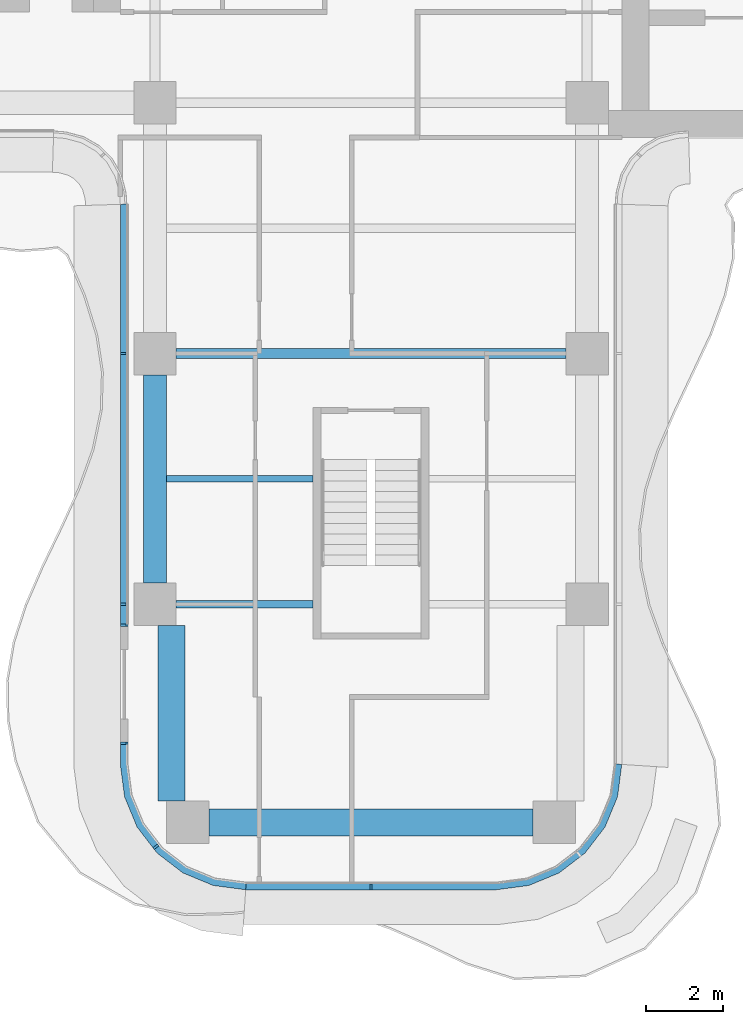
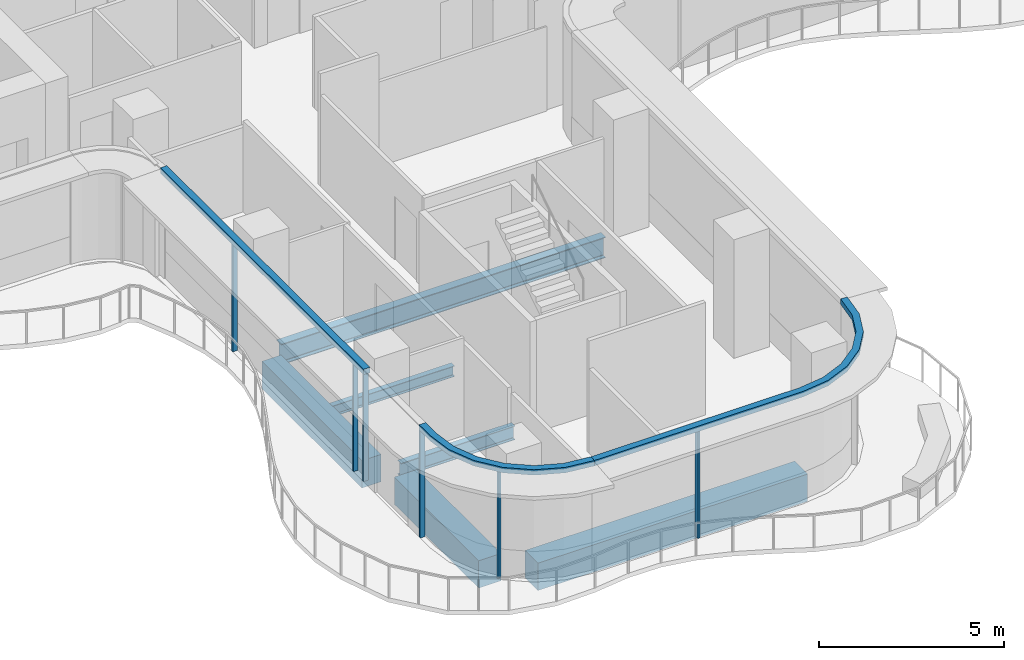
# One storey, part 2 of 17: 9 members, 6 beams, 3 elements without a shape of their own.
"""IFC4 building model written with IfcOpenShell, lengths in metres."""

from ifc_helpers import new_model, si_unit, direction, frame, origin, origin_2d, place, context, subcontext, project, spatial, polyline, rectangle, i_section, outline, extrude, source, transform, mapped, material, layer, layer_set, material_profile, profile_set, type_object, element, aggregate, save


model = new_model("IFC4")

# Units and contexts
model_context = context("Model", 3, precision=1e-05, world=origin(), true_north=direction((0.0, 1.0)))
body_context = subcontext(model_context, "Body", "Model", "MODEL_VIEW")
ifc_project = project(units=[si_unit("LENGTHUNIT", "METRE"), si_unit("AREAUNIT", "SQUARE_METRE"), si_unit("VOLUMEUNIT", "CUBIC_METRE"), si_unit("PLANEANGLEUNIT", "RADIAN"), si_unit("MASSUNIT", "GRAM", prefix="KILO")], contexts=[model_context])

# Site, building, storey
site_placement = place(None, origin())
site = spatial("IfcSite", under=ifc_project, at=site_placement, CompositionType="ELEMENT")
building_placement = place(site_placement, origin())
building = spatial("IfcBuilding", under=site, at=building_placement, Name="Trellis Farm Tower", CompositionType="ELEMENT")
storey_placement = place(building_placement, frame((0.0, 0.0, 240.199951171875)))
storey = spatial("IfcBuildingStorey", under=building, at=storey_placement, Name="L53", CompositionType="ELEMENT", Elevation=240.199951171875)

# Beams
ifc_material_1 = material(Name="Steel S355", Category="steel")
ifc_material_profile_1 = material_profile(ifc_material_1, i_section(OverallWidth=0.17138671875, OverallDepth=0.35498046875, WebThickness=0.00732421875, FlangeThickness=0.011474609375, FilletRadius=0.01025390625, at=origin_2d()), Name="UB 356x171x51")
ifc_profile_set_1 = profile_set([ifc_material_profile_1], Name="Steel S355")
beam_type_1 = type_object("IfcBeamType", Name="UB 356x171x51 joist", PredefinedType="JOIST", material=ifc_profile_set_1)
shared_shape_1 = source(origin(), body_context, "Body", "SweptSolid", [
    extrude(i_section(OverallWidth=0.17138671875, OverallDepth=0.35498046875, WebThickness=0.00732421875, FlangeThickness=0.011474609375, FilletRadius=0.01025390625, at=origin_2d()), origin(), (0.0, 0.0, 1.0), 3.800048828125),
])
beam_1_placement = place(storey_placement, frame((-5.300048828125, -15.35009765625, -0.37744140625), z_axis=(1.0, 0.0, 0.0), x_axis=(0.0, 1.0, 0.0)))
element("IfcBeam", 1, at=beam_1_placement, inside=storey, type_object=beam_type_1, Name="Floor beam", PredefinedType="JOIST", context=body_context, shape_type="MappedRepresentation", body=[
    mapped(shared_shape_1, transform((0.0, 0.0, 0.0))),
])
ifc_material_profile_2 = material_profile(ifc_material_1, i_section(OverallWidth=0.1904296875, OverallDepth=0.45703125, WebThickness=0.009033203125, FlangeThickness=0.014404296875, FilletRadius=0.01025390625, at=origin_2d()), Name="UB 457x191x74")
ifc_profile_set_2 = profile_set([ifc_material_profile_2], Name="Steel S355")
beam_type_2 = type_object("IfcBeamType", Name="UB 457x191x74", PredefinedType="BEAM", material=ifc_profile_set_2)
shared_shape_2 = source(origin(), body_context, "Body", "SweptSolid", [
    extrude(i_section(OverallWidth=0.1904296875, OverallDepth=0.45703125, WebThickness=0.009033203125, FlangeThickness=0.014404296875, FilletRadius=0.01025390625, at=origin_2d()), origin(), (0.0, 0.0, 1.0), 3.550048828125),
])
beam_2_placement = place(storey_placement, frame((-5.050048828125, -18.60009765625, -0.428466796875), z_axis=(1.0, 0.0, 0.0), x_axis=(0.0, 1.0, 0.0)))
element("IfcBeam", 2, at=beam_2_placement, inside=storey, type_object=beam_type_2, Name="Girder", PredefinedType="BEAM", context=body_context, shape_type="MappedRepresentation", body=[
    mapped(shared_shape_2, transform((0.0, 0.0, 0.0))),
])
ifc_material_profile_3 = material_profile(ifc_material_1, i_section(OverallWidth=0.253662109375, OverallDepth=0.68359375, WebThickness=0.012451171875, FlangeThickness=0.021728515625, FilletRadius=0.01513671875, at=origin_2d()), Name="UB 686x254x140")
ifc_profile_set_3 = profile_set([ifc_material_profile_3], Name="Steel S355")
beam_type_3 = type_object("IfcBeamType", Name="UB 686x254x140", PredefinedType="BEAM", material=ifc_profile_set_3)
shared_shape_3 = source(origin(), body_context, "Body", "SweptSolid", [
    extrude(i_section(OverallWidth=0.253662109375, OverallDepth=0.68359375, WebThickness=0.012451171875, FlangeThickness=0.021728515625, FilletRadius=0.01513671875, at=origin_2d()), origin(), (0.0, 0.0, 1.0), 10.10009765625),
])
beam_3_placement = place(storey_placement, frame((-5.050048828125, -12.10009765625, -0.541748046875), z_axis=(1.0, 0.0, 0.0), x_axis=(0.0, 1.0, 0.0)))
element("IfcBeam", 3, at=beam_3_placement, inside=storey, type_object=beam_type_3, Name="Girder", PredefinedType="BEAM", context=body_context, shape_type="MappedRepresentation", body=[
    mapped(shared_shape_3, transform((0.0, 0.0, 0.0))),
])
ifc_material_2 = material(Name="Concrete C60/75", Category="concrete")
ifc_material_profile_4 = material_profile(ifc_material_2, rectangle(XDim=0.60009765625, YDim=0.89990234375, at=origin_2d()), Name="RC spandrel beam 600x900 C60/75")
ifc_profile_set_4 = profile_set([ifc_material_profile_4], Name="Concrete C60/75")
beam_type_4 = type_object("IfcBeamType", Name="RC spandrel beam 600x900 C60/75", PredefinedType="SPANDREL", material=ifc_profile_set_4)
shared_shape_4 = source(origin(), body_context, "Body", "SweptSolid", [
    extrude(rectangle(XDim=0.60009765625, YDim=0.89990234375, at=origin_2d()), origin(), (0.0, 0.0, 1.0), 5.400146484375),
])
beam_4_placement = place(storey_placement, frame((-5.60009765625, -18.050048828125, -0.64990234375), z_axis=(0.0, 1.0, 0.0), x_axis=(-1.0, 0.0, 0.0)))
element("IfcBeam", 4, at=beam_4_placement, inside=storey, type_object=beam_type_4, Name="Girder", PredefinedType="SPANDREL", context=body_context, shape_type="MappedRepresentation", body=[
    mapped(shared_shape_4, transform((0.0, 0.0, 0.0))),
])
ifc_material_profile_5 = material_profile(ifc_material_2, rectangle(XDim=0.699951171875, YDim=0.89990234375, at=origin_2d()), Name="RC spandrel beam 700x900 C60/75")
ifc_profile_set_5 = profile_set([ifc_material_profile_5], Name="Concrete C60/75")
beam_type_5 = type_object("IfcBeamType", Name="RC spandrel beam 700x900 C60/75", PredefinedType="SPANDREL", material=ifc_profile_set_5)
shared_shape_5 = source(origin(), body_context, "Body", "SweptSolid", [
    extrude(rectangle(XDim=0.699951171875, YDim=0.89990234375, at=origin_2d()), origin(), (0.0, 0.0, 1.0), 8.39990234375),
])
beam_5_placement = place(storey_placement, frame((-4.199951171875, -24.25, -0.64990234375), z_axis=(1.0, 0.0, 0.0), x_axis=(0.0, 1.0, 0.0)))
element("IfcBeam", 5, at=beam_5_placement, inside=storey, type_object=beam_type_5, Name="Girder", PredefinedType="SPANDREL", context=body_context, shape_type="MappedRepresentation", body=[
    mapped(shared_shape_5, transform((0.0, 0.0, 0.0))),
])
shared_shape_6 = source(origin(), body_context, "Body", "SweptSolid", [
    extrude(rectangle(XDim=0.699951171875, YDim=0.89990234375, at=origin_2d()), origin(), (0.0, 0.0, 1.0), 4.550048828125),
])
beam_6_placement = place(storey_placement, frame((-5.175048828125, -23.699951171875, -0.64990234375), z_axis=(0.0, 1.0, 0.0), x_axis=(-1.0, 0.0, 0.0)))
element("IfcBeam", 6, at=beam_6_placement, inside=storey, type_object=beam_type_5, Name="Girder", PredefinedType="SPANDREL", context=body_context, shape_type="MappedRepresentation", body=[
    mapped(shared_shape_6, transform((0.0, 0.0, 0.0))),
])

# Curtain wall, member
ifc_material_3 = material(Name="Aluminium and glass curtain wall", Category="aluminium")
ifc_layer_1 = layer(ifc_material_3, 0.18994140625)
ifc_layer_set_1 = layer_set([ifc_layer_1], Name="RIBBON CURTAIN WALL CW1")
curtain_wall_type = type_object("IfcCurtainWallType", Name="RIBBON CURTAIN WALL CW1", PredefinedType="NOTDEFINED", material=ifc_layer_set_1)
placement_1 = place(storey_placement, origin())
curtain_wall_1 = element("IfcCurtainWall", 7, at=placement_1, inside=storey, type_object=curtain_wall_type, Name="CW1 004", PredefinedType="NOTDEFINED")
ifc_material_4 = material(Name="Aluminium extrusion 6063-T6", Category="aluminium")
ifc_layer_2 = layer(ifc_material_4, 0.199951171875)
ifc_layer_set_2 = layer_set([ifc_layer_2], Name="Aluminium extrusion 6063-T6")
member_type_1 = type_object("IfcMemberType", Name="CW1 TRANSOM 200x180", PredefinedType="USERDEFINED", material=ifc_layer_set_2)
shared_shape_7 = source(origin(), body_context, "Body", "SweptSolid", [
    extrude(outline(polyline([(-3.25, -26.0), (3.25, -26.0), (4.091064453125, -25.88916015625), (4.875, -25.564697265625), (5.548095703125, -25.048095703125), (6.064697265625, -24.375), (6.38916015625, -23.591064453125), (6.5, -22.75), (6.300048828125, -22.73681640625), (6.1943359375, -23.5390625), (5.889892578125, -24.274169921875), (5.405517578125, -24.905517578125), (4.774169921875, -25.389892578125), (4.0390625, -25.6943359375), (3.23681640625, -25.800048828125), (-3.23681640625, -25.800048828125), (-3.25, -26.0)])), origin(), (0.0, 0.0, 1.0), 0.179931640625),
])
placement_2 = place(storey_placement, frame((0.0, 0.0, 3.52001953125)))
member_1 = element("IfcMember", 8, at=placement_2, type_object=member_type_1, Name="TR1 004", ObjectType="TRANSOM", PredefinedType="USERDEFINED", context=body_context, shape_type="MappedRepresentation", body=[
    mapped(shared_shape_7, transform((0.0, 0.0, 0.0))),
])

curtain_wall_2 = element("IfcCurtainWall", 9, at=placement_1, inside=storey, type_object=curtain_wall_type, Name="CW1 002", PredefinedType="NOTDEFINED")
shared_shape_8 = source(origin(), body_context, "Body", "SweptSolid", [
    extrude(outline(polyline([(-6.5, -8.2314453125), (-6.5, -19.175048828125), (-6.300048828125, -19.175048828125), (-6.300048828125, -8.224853515625), (-6.5, -8.2314453125)])), origin(), (0.0, 0.0, 1.0), 0.179931640625),
])
member_2 = element("IfcMember", 10, at=placement_2, type_object=member_type_1, Name="TR1 002", ObjectType="TRANSOM", PredefinedType="USERDEFINED", context=body_context, shape_type="MappedRepresentation", body=[
    mapped(shared_shape_8, transform((0.0, 0.0, 0.0))),
])

curtain_wall_3 = element("IfcCurtainWall", 11, at=placement_1, inside=storey, type_object=curtain_wall_type, Name="CW1 003", PredefinedType="NOTDEFINED")
shared_shape_9 = source(origin(), body_context, "Body", "SweptSolid", [
    extrude(outline(polyline([(-6.5, -22.175048828125), (-6.5, -22.75), (-6.38916015625, -23.591064453125), (-6.064697265625, -24.375), (-5.548095703125, -25.048095703125), (-4.875, -25.564697265625), (-4.091064453125, -25.88916015625), (-3.25, -26.0), (-3.23681640625, -25.800048828125), (-4.0390625, -25.6943359375), (-4.774169921875, -25.389892578125), (-5.405517578125, -24.905517578125), (-5.889892578125, -24.274169921875), (-6.1943359375, -23.5390625), (-6.300048828125, -22.73681640625), (-6.300048828125, -22.175048828125), (-6.5, -22.175048828125)])), origin(), (0.0, 0.0, 1.0), 0.179931640625),
])
member_3 = element("IfcMember", 12, at=placement_2, type_object=member_type_1, Name="TR1 003", ObjectType="TRANSOM", PredefinedType="USERDEFINED", context=body_context, shape_type="MappedRepresentation", body=[
    mapped(shared_shape_9, transform((0.0, 0.0, 0.0))),
])

# Member
ifc_material_profile_6 = material_profile(ifc_material_4, rectangle(XDim=0.06005859375, YDim=0.14990234375, at=origin_2d()), Name="MULLION 60x150")
ifc_profile_set_6 = profile_set([ifc_material_profile_6], Name="Aluminium extrusion 6063-T6")
member_type_2 = type_object("IfcMemberType", Name="CW1 MULLION 60x150", PredefinedType="MULLION", material=ifc_profile_set_6)
shared_shape_10 = source(origin(), body_context, "Body", "SweptSolid", [
    extrude(rectangle(XDim=0.06005859375, YDim=0.14990234375, at=origin_2d()), origin(), (0.0, 0.0, 1.0), 3.52001953125),
])
member_4_placement = place(storey_placement, frame((-6.425048828125, -12.10009765625, 0.0), z_axis=(0.0, 0.0, 1.0), x_axis=(0.0, -1.0, 0.0)))
member_4 = element("IfcMember", 13, at=member_4_placement, type_object=member_type_2, Name="MU1 002-01", PredefinedType="MULLION", context=body_context, shape_type="MappedRepresentation", body=[
    mapped(shared_shape_10, transform((0.0, 0.0, 0.0))),
])

member_5_placement = place(storey_placement, frame((-6.425048828125, -18.60009765625, 0.0), z_axis=(0.0, 0.0, 1.0), x_axis=(0.0, -1.0, 0.0)))
member_5 = element("IfcMember", 14, at=member_5_placement, type_object=member_type_2, Name="MU1 002-02", PredefinedType="MULLION", context=body_context, shape_type="MappedRepresentation", body=[
    mapped(shared_shape_10, transform((0.0, 0.0, 0.0))),
])

member_6_placement = place(storey_placement, frame((-6.425048828125, -19.14501953125, 0.0), z_axis=(0.0, 0.0, 1.0), x_axis=(0.0, -1.0, 0.0)))
member_6 = element("IfcMember", 15, at=member_6_placement, type_object=member_type_2, Name="MU1 002-03", PredefinedType="MULLION", context=body_context, shape_type="MappedRepresentation", body=[
    mapped(shared_shape_10, transform((0.0, 0.0, 0.0))),
])

aggregate(curtain_wall_2, [member_4, member_5, member_6, member_2])

member_7_placement = place(storey_placement, frame((-6.425048828125, -22.205078125, 0.0), z_axis=(0.0, 0.0, 1.0), x_axis=(0.0, -1.0, 0.0)))
member_7 = element("IfcMember", 16, at=member_7_placement, type_object=member_type_2, Name="MU1 003-01", PredefinedType="MULLION", context=body_context, shape_type="MappedRepresentation", body=[
    mapped(shared_shape_10, transform((0.0, 0.0, 0.0))),
])

member_8_placement = place(storey_placement, frame((-5.578369140625, -24.885498046875, 0.0), z_axis=(0.0, 0.0, 1.0), x_axis=(0.608761429009, -0.793353340291, 0.0)))
member_8 = element("IfcMember", 17, at=member_8_placement, type_object=member_type_2, Name="MU1 003-02", PredefinedType="MULLION", context=body_context, shape_type="MappedRepresentation", body=[
    mapped(shared_shape_10, transform((0.0, 0.0, 0.0))),
])

aggregate(curtain_wall_3, [member_7, member_8, member_3])

member_9_placement = place(storey_placement, frame((0.0, -25.925048828125, 0.0), z_axis=(0.0, 0.0, 1.0), x_axis=(1.0, 0.0, 0.0)))
member_9 = element("IfcMember", 18, at=member_9_placement, type_object=member_type_2, Name="MU1 004-01", PredefinedType="MULLION", context=body_context, shape_type="MappedRepresentation", body=[
    mapped(shared_shape_10, transform((0.0, 0.0, 0.0))),
])

aggregate(curtain_wall_1, [member_9, member_1])

save(model, "model.ifc")
